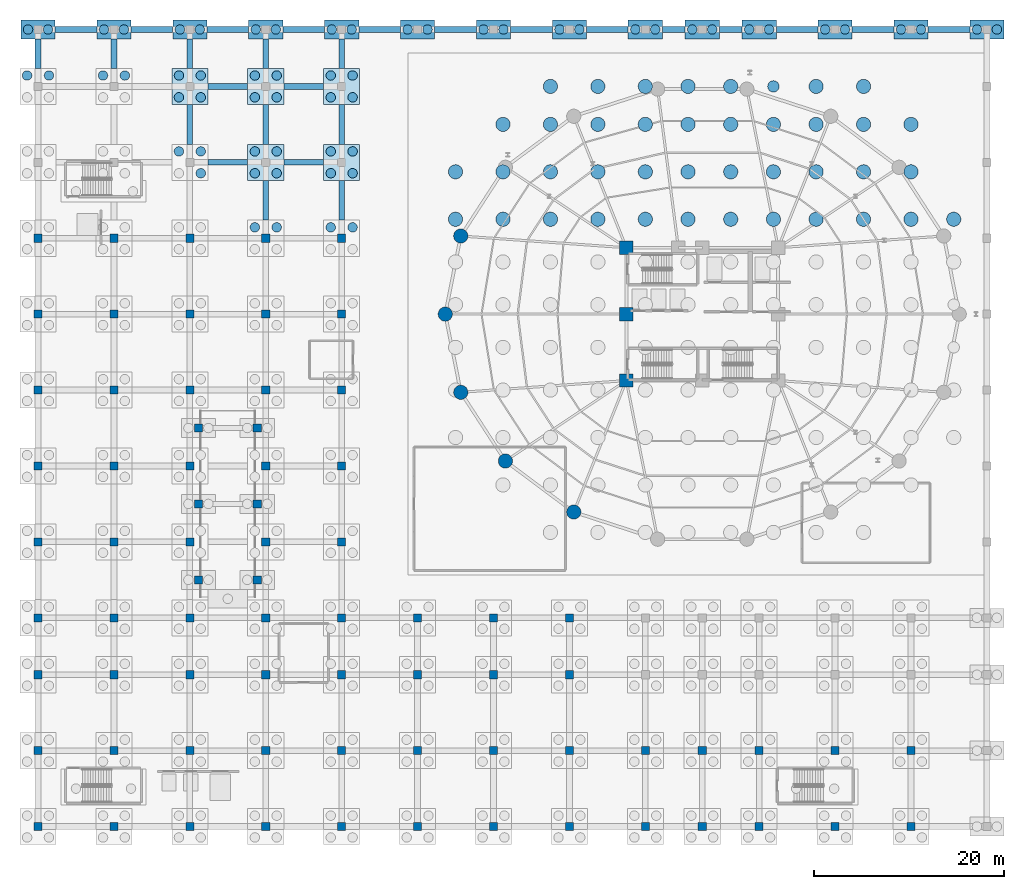
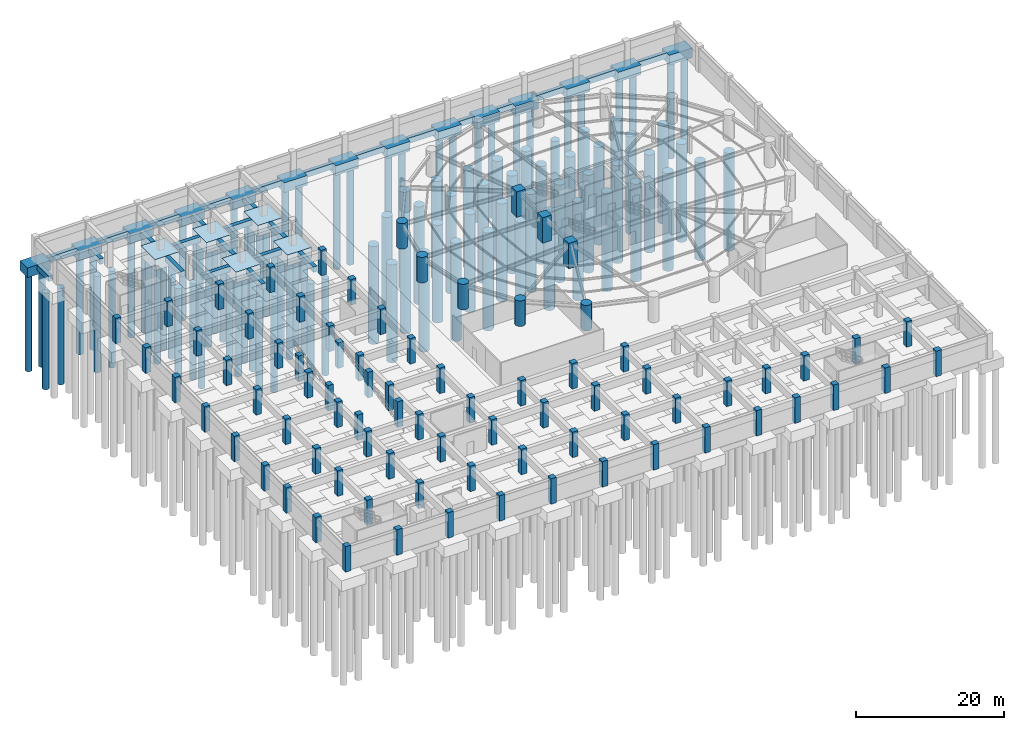
# One storey, part 4 of 23: 100 piles, 81 columns, 46 footings.
"""IFC4 building model written with IfcOpenShell, lengths in metres."""

import ifcopenshell
import ifcopenshell.guid

model = None  # the IFC model being written
_history = None  # IfcOwnerHistory: only IFC2X3 demands one
_inside = {}  # id of a spatial element -> (the spatial element, [elements in it])
_under = {}  # id of a project, library or spatial element -> (it, [spatial elements below it])
_declared = {}  # id of a project -> (the project, [libraries it declares])
_typed = {}  # id of a type object -> (the type object, [elements of that type])
_made_of = {}  # id of a material, layer set ... -> (it, [elements and type objects made of it])


def new_model(schema):
    """Start an empty IFC model of exactly this schema.

    Asked for "IFC4X3", IfcOpenShell would pick the latest addendum, in which some entities
    have other attributes; the version numbers below select the first issue.
    IFC2X3 requires an IfcOwnerHistory on every rooted entity: one is made here for all.
    """
    global model, _history
    if schema == "IFC4X3":
        model = ifcopenshell.file(schema_version=(4, 3, 0, 0))
    else:
        model = ifcopenshell.file(schema=schema)
    _inside.clear()
    _under.clear()
    _declared.clear()
    _typed.clear()
    _made_of.clear()
    _history = None
    if model.schema == "IFC2X3":
        org = make("IfcOrganization", Name="unknown")
        user = make(
            "IfcPersonAndOrganization",
            ThePerson=make("IfcPerson", FamilyName="unknown"),
            TheOrganization=org,
        )
        app = make(
            "IfcApplication",
            ApplicationDeveloper=org,
            Version="unknown",
            ApplicationFullName="unknown",
            ApplicationIdentifier="unknown",
        )
        _history = make(
            "IfcOwnerHistory",
            OwningUser=user,
            OwningApplication=app,
            ChangeAction="ADDED",
            CreationDate=0,
        )
    return model


def make(cls, **values):
    """One entity of the class cls with the attributes given. An attribute that is None is left unset."""
    return model.create_entity(
        cls, **{name: value for name, value in values.items() if value is not None}
    )


def rooted(cls, **values):
    """An entity with a GlobalId (a new one), such as an element, a storey or a relation."""
    return make(cls, GlobalId=ifcopenshell.guid.new(), OwnerHistory=_history, **values)


def si_unit(unit_type, name, prefix=None):
    """IfcSIUnit, for example si_unit("LENGTHUNIT", "METRE", prefix="MILLI")."""
    return make("IfcSIUnit", UnitType=unit_type, Prefix=prefix, Name=name)


def assignment(units):
    """IfcUnitAssignment: the units of a project."""
    return None if units is None else make("IfcUnitAssignment", Units=units)


def point(xyz):
    """IfcCartesianPoint."""
    return None if xyz is None else make("IfcCartesianPoint", Coordinates=xyz)


def direction(xyz):
    """IfcDirection."""
    return None if xyz is None else make("IfcDirection", DirectionRatios=xyz)


def frame(location, z_axis=None, x_axis=None):
    """IfcAxis2Placement3D, a coordinate frame: its origin and axes. An axis left out is left unset."""
    return make(
        "IfcAxis2Placement3D",
        Location=point(location),
        Axis=direction(z_axis),
        RefDirection=direction(x_axis),
    )


def frame_2d(location, x_axis=None):
    """IfcAxis2Placement2D, a coordinate frame in the plane: its origin and x axis."""
    return make(
        "IfcAxis2Placement2D", Location=point(location), RefDirection=direction(x_axis)
    )


def origin():
    """The frame at (0, 0, 0) with its axes left unset."""
    return frame((0.0, 0.0, 0.0))


def origin_2d():
    """The frame at (0, 0) in the plane with its x axis left unset."""
    return frame_2d((0.0, 0.0))


def place(relative_to, where):
    """IfcLocalPlacement: puts the frame where relative to a parent placement (None: the world)."""
    return make(
        "IfcLocalPlacement", PlacementRelTo=relative_to, RelativePlacement=where
    )


def context(
    kind, dimensions, precision=None, world=None, true_north=None, identifier=None
):
    """IfcGeometricRepresentationContext, for example the 3D "Model" context."""
    return make(
        "IfcGeometricRepresentationContext",
        ContextIdentifier=identifier,
        ContextType=kind,
        CoordinateSpaceDimension=dimensions,
        Precision=precision,
        WorldCoordinateSystem=world,
        TrueNorth=true_north,
    )


def subcontext(parent, identifier, kind, view, scale=None):
    """IfcGeometricRepresentationSubContext, for example "Body" below "Model"."""
    return make(
        "IfcGeometricRepresentationSubContext",
        ContextIdentifier=identifier,
        ContextType=kind,
        ParentContext=parent,
        TargetScale=scale,
        TargetView=view,
    )


def project(units=None, contexts=None):
    """IfcProject with its units and contexts."""
    return rooted(
        "IfcProject",
        Name="project",
        RepresentationContexts=contexts,
        UnitsInContext=assignment(units),
    )


def spatial(cls, under=None, at=None, **own):
    """A site, building, storey or space (cls), placed at a placement, below another one or the project."""
    s = rooted(cls, ObjectPlacement=at, **own)
    if under is not None:
        _under.setdefault(under.id(), (under, []))[1].append(s)
    return s


def profile(cls, at=None, kind="AREA", **sizes):
    """A parametric profile (cls). Its sizes go by their IFC names, for example OverallWidth=200.0."""
    return make(cls, ProfileType=kind, Position=at, **sizes)


def rectangle(**sizes):
    """IfcRectangleProfileDef."""
    return profile("IfcRectangleProfileDef", **sizes)


def circle(**sizes):
    """IfcCircleProfileDef."""
    return profile("IfcCircleProfileDef", **sizes)


def extrude(swept, where, along, depth):
    """IfcExtrudedAreaSolid: the profile swept, set in the frame where, extruded along a direction by depth."""
    return make(
        "IfcExtrudedAreaSolid",
        SweptArea=swept,
        Position=where,
        ExtrudedDirection=direction(along),
        Depth=depth,
    )


def shape(context_of_items, identifier, shape_type, items):
    """IfcShapeRepresentation: the items that make up one representation, for example the "Body"."""
    return make(
        "IfcShapeRepresentation",
        ContextOfItems=context_of_items,
        RepresentationIdentifier=identifier,
        RepresentationType=shape_type,
        Items=items,
    )


def source(mapping_origin, context_of_items, identifier, shape_type, items):
    """IfcRepresentationMap: a shape defined once, which mapped items show again and again."""
    return make(
        "IfcRepresentationMap",
        MappingOrigin=mapping_origin,
        MappedRepresentation=shape(context_of_items, identifier, shape_type, items),
    )


def transform(
    local_origin,
    x_axis=None,
    y_axis=None,
    z_axis=None,
    scale=None,
    scale2=None,
    scale3=None,
    uniform=True,
):
    """IfcCartesianTransformationOperator3D, or its non-uniform kind. x_axis, y_axis, z_axis: its Axis1, 2, 3."""
    if uniform:
        return make(
            "IfcCartesianTransformationOperator3D",
            Axis1=direction(x_axis),
            Axis2=direction(y_axis),
            LocalOrigin=point(local_origin),
            Scale=scale,
            Axis3=direction(z_axis),
        )
    return make(
        "IfcCartesianTransformationOperator3DnonUniform",
        Axis1=direction(x_axis),
        Axis2=direction(y_axis),
        LocalOrigin=point(local_origin),
        Scale=scale,
        Axis3=direction(z_axis),
        Scale2=scale2,
        Scale3=scale3,
    )


def mapped(mapping_source, mapping_target):
    """IfcMappedItem: shows the shape of a source again, moved by a transform."""
    return make(
        "IfcMappedItem", MappingSource=mapping_source, MappingTarget=mapping_target
    )


def material(Name=None, Category=None):
    """IfcMaterial."""
    return make("IfcMaterial", Name=Name, Category=Category)


def material_profile(
    of_material, cross_section, Name=None, Category=None, Priority=None
):
    """IfcMaterialProfile: a cross section and its material."""
    return make(
        "IfcMaterialProfile",
        Name=Name,
        Material=of_material,
        Profile=cross_section,
        Priority=Priority,
        Category=Category,
    )


def profile_set(profiles, Name=None, composite=None):
    """IfcMaterialProfileSet."""
    return make(
        "IfcMaterialProfileSet",
        Name=Name,
        MaterialProfiles=profiles,
        CompositeProfile=composite,
    )


def made_of(thing, what):
    """Note that an element or type object is made of a material, layer set ...; save() writes the relation."""
    if what is not None:
        _made_of.setdefault(what.id(), (what, []))[1].append(thing)
    return thing


def type_object(cls, material=None, **own):
    """A type object (cls), such as IfcWallType, which elements share."""
    return made_of(rooted(cls, **own), material)


def element(
    cls,
    number,
    at=None,
    inside=None,
    cuts=None,
    type_object=None,
    material=None,
    context=None,
    identifier="Body",
    shape_type=None,
    held_by="IfcProductDefinitionShape",
    body=None,
    shapes=None,
    **own,
):
    """One element of the class cls, such as IfcWall. Its Tag is "e" and its number.

    at: its placement. inside: the storey or other place that contains it. cuts: it is an
    opening in that element (IfcRelVoidsElement). A single representation is given by context,
    identifier, shape_type and body (its items); several are given by shapes. held_by: the class
    of the entity that holds the representations. save() writes the other relations.
    """
    e = rooted(cls, Tag="e%d" % number, ObjectPlacement=at, **own)
    if body is not None:
        shapes = [shape(context, identifier, shape_type, body)]
    if shapes is not None:
        e.Representation = make(held_by, Representations=shapes)
    if inside is not None:
        _inside.setdefault(inside.id(), (inside, []))[1].append(e)
    if cuts is not None:
        rooted(
            "IfcRelVoidsElement", RelatingBuildingElement=cuts, RelatedOpeningElement=e
        )
    if type_object is not None:
        _typed.setdefault(type_object.id(), (type_object, []))[1].append(e)
    return made_of(e, material)


def aggregate(whole, parts):
    """IfcRelAggregates: a whole, such as a stair, and the parts it consists of."""
    return rooted("IfcRelAggregates", RelatingObject=whole, RelatedObjects=parts)


def save(model, path):
    """Write the relations noted so far, then the file.

    IfcRelAggregates (storeys below a building ...), IfcRelContainedInSpatialStructure (elements
    in a storey), IfcRelDefinesByType, IfcRelAssociatesMaterial and IfcRelDeclares: one each for
    every whole, place, type object, material and project.
    """
    for whole, parts in _under.values():
        aggregate(whole, parts)
    for where, things in _inside.values():
        rooted(
            "IfcRelContainedInSpatialStructure",
            RelatedElements=things,
            RelatingStructure=where,
        )
    for kind, things in _typed.values():
        rooted("IfcRelDefinesByType", RelatedObjects=things, RelatingType=kind)
    for what, things in _made_of.values():
        rooted("IfcRelAssociatesMaterial", RelatedObjects=things, RelatingMaterial=what)
    for by, libraries in _declared.values():
        rooted("IfcRelDeclares", RelatingContext=by, RelatedDefinitions=libraries)
    model.write(path)


model = new_model("IFC4")

# Units and contexts
model_context = context("Model", 3, precision=1e-05, world=origin(), true_north=direction((0.0, 1.0)))
body_context = subcontext(model_context, "Body", "Model", "MODEL_VIEW")
ifc_project = project(units=[si_unit("LENGTHUNIT", "METRE"), si_unit("AREAUNIT", "SQUARE_METRE"), si_unit("VOLUMEUNIT", "CUBIC_METRE"), si_unit("PLANEANGLEUNIT", "RADIAN"), si_unit("MASSUNIT", "GRAM", prefix="KILO")], contexts=[model_context])

# Site, building, storey
site_placement = place(None, origin())
site = spatial("IfcSite", under=ifc_project, at=site_placement, CompositionType="ELEMENT")
building_placement = place(site_placement, origin())
building = spatial("IfcBuilding", under=site, at=building_placement, Name="Kelanora Arch Commons", CompositionType="ELEMENT")
storey_placement = place(building_placement, frame((0.0, 0.0, -8.39990234375)))
storey = spatial("IfcBuildingStorey", under=building, at=storey_placement, Name="B02", CompositionType="ELEMENT", Elevation=-8.39990234375)

# Piles
ifc_material_1 = material(Name="Concrete C45/55", Category="concrete")
ifc_material_profile_1 = material_profile(ifc_material_1, circle(Radius=0.75, at=origin_2d()), Name="PILE1500")
ifc_profile_set_1 = profile_set([ifc_material_profile_1], Name="Concrete C45/55")
pile_type_1 = type_object("IfcPileType", Name="PILE-TWR-1500", PredefinedType="BORED", material=ifc_profile_set_1)
shared_shape_1 = source(origin(), body_context, "Body", "SweptSolid", [
    extrude(circle(Radius=0.75, at=origin_2d()), origin(), (0.0, 0.0, 1.0), 16.10009765625),
])
for number, where, z_axis, x_axis, name in (
    (1, (48.0, 68.0, -3.5), (0.0, 0.0, -1.0), (1.0, 0.0, 0.0), "Tower Bored Pile 006"),
    (2, (48.0, 73.0, -3.5), (0.0, 0.0, -1.0), (1.0, 0.0, 0.0), "Tower Bored Pile 007"),
    (3, (53.0, 68.0, -3.5), (0.0, 0.0, -1.0), (1.0, 0.0, 0.0), "Tower Bored Pile 014"),
    (4, (53.0, 73.0, -3.5), (0.0, 0.0, -1.0), (1.0, 0.0, 0.0), "Tower Bored Pile 015"),
    (5, (53.0, 78.0, -3.5), (0.0, 0.0, -1.0), (1.0, 0.0, 0.0), "Tower Bored Pile 016"),
    (6, (58.0, 68.0, -3.5), (0.0, 0.0, -1.0), (1.0, 0.0, 0.0), "Tower Bored Pile 024"),
    (7, (58.0, 73.0, -3.5), (0.0, 0.0, -1.0), (1.0, 0.0, 0.0), "Tower Bored Pile 025"),
    (8, (58.0, 78.0, -3.5), (0.0, 0.0, -1.0), (1.0, 0.0, 0.0), "Tower Bored Pile 026"),
    (9, (58.0, 82.0, -3.5), (0.0, 0.0, -1.0), (1.0, 0.0, 0.0), "Tower Bored Pile 027"),
    (10, (63.0, 68.0, -3.5), (0.0, 0.0, -1.0), (1.0, 0.0, 0.0), "Tower Bored Pile 035"),
    (11, (63.0, 73.0, -3.5), (0.0, 0.0, -1.0), (1.0, 0.0, 0.0), "Tower Bored Pile 036"),
    (12, (63.0, 78.0, -3.5), (0.0, 0.0, -1.0), (1.0, 0.0, 0.0), "Tower Bored Pile 037"),
    (13, (63.0, 82.0, -3.5), (0.0, 0.0, -1.0), (1.0, 0.0, 0.0), "Tower Bored Pile 038"),
    (14, (68.0, 68.0, -3.5), (0.0, 0.0, -1.0), (1.0, 0.0, 0.0), "Tower Bored Pile 046"),
    (15, (68.0, 73.0, -3.5), (0.0, 0.0, -1.0), (1.0, 0.0, 0.0), "Tower Bored Pile 047"),
    (16, (68.0, 78.0, -3.5), (0.0, 0.0, -1.0), (1.0, 0.0, 0.0), "Tower Bored Pile 048"),
    (17, (68.0, 82.0, -3.5), (0.0, 0.0, -1.0), (1.0, 0.0, 0.0), "Tower Bored Pile 049"),
    (18, (72.5, 68.0, -3.5), (0.0, 0.0, -1.0), (1.0, 0.0, 0.0), "Tower Bored Pile 057"),
    (19, (72.5, 73.0, -3.5), (0.0, 0.0, -1.0), (1.0, 0.0, 0.0), "Tower Bored Pile 058"),
    (20, (72.5, 78.0, -3.5), (0.0, 0.0, -1.0), (1.0, 0.0, 0.0), "Tower Bored Pile 059"),
    (21, (72.5, 82.0, -3.5), (0.0, 0.0, -1.0), (1.0, 0.0, 0.0), "Tower Bored Pile 060"),
    (22, (77.0, 68.0, -3.5), (0.0, 0.0, -1.0), (1.0, 0.0, 0.0), "Tower Bored Pile 068"),
    (23, (77.0, 73.0, -3.5), (0.0, 0.0, -1.0), (1.0, 0.0, 0.0), "Tower Bored Pile 069"),
    (24, (77.0, 78.0, -3.5), (0.0, 0.0, -1.0), (1.0, 0.0, 0.0), "Tower Bored Pile 070"),
    (25, (77.0, 82.0, -3.5), (0.0, 0.0, -1.0), (1.0, 0.0, 0.0), "Tower Bored Pile 071"),
    (26, (81.5, 68.0, -3.5), (0.0, 0.0, -1.0), (1.0, 0.0, 0.0), "Tower Bored Pile 079"),
    (27, (81.5, 73.0, -3.5), (0.0, 0.0, -1.0), (1.0, 0.0, 0.0), "Tower Bored Pile 080"),
    (28, (81.5, 78.0, -3.5), (0.0, 0.0, -1.0), (1.0, 0.0, 0.0), "Tower Bored Pile 081"),
    (29, (86.0, 68.0, -3.5), (0.0, 0.0, -1.0), (1.0, 0.0, 0.0), "Tower Bored Pile 090"),
    (30, (86.0, 73.0, -3.5), (0.0, 0.0, -1.0), (1.0, 0.0, 0.0), "Tower Bored Pile 091"),
    (31, (86.0, 78.0, -3.5), (0.0, 0.0, -1.0), (1.0, 0.0, 0.0), "Tower Bored Pile 092"),
    (32, (86.0, 82.0, -3.5), (0.0, 0.0, -1.0), (1.0, 0.0, 0.0), "Tower Bored Pile 093"),
    (33, (91.0, 68.0, -3.5), (0.0, 0.0, -1.0), (1.0, 0.0, 0.0), "Tower Bored Pile 101"),
    (34, (91.0, 73.0, -3.5), (0.0, 0.0, -1.0), (1.0, 0.0, 0.0), "Tower Bored Pile 102"),
    (35, (91.0, 78.0, -3.5), (0.0, 0.0, -1.0), (1.0, 0.0, 0.0), "Tower Bored Pile 103"),
    (36, (91.0, 82.0, -3.5), (0.0, 0.0, -1.0), (1.0, 0.0, 0.0), "Tower Bored Pile 104"),
    (37, (96.0, 68.0, -3.5), (0.0, 0.0, -1.0), (1.0, 0.0, 0.0), "Tower Bored Pile 111"),
    (38, (96.0, 73.0, -3.5), (0.0, 0.0, -1.0), (1.0, 0.0, 0.0), "Tower Bored Pile 112"),
    (39, (96.0, 78.0, -3.5), (0.0, 0.0, -1.0), (1.0, 0.0, 0.0), "Tower Bored Pile 113"),
    (40, (100.5, 68.0, -3.5), (0.0, 0.0, -1.0), (1.0, 0.0, 0.0), "Tower Bored Pile 119"),
):
    element("IfcPile", number, at=place(storey_placement, frame(where, z_axis=z_axis, x_axis=x_axis)), inside=storey, type_object=pile_type_1, Name=name, PredefinedType="BORED", context=body_context, shape_type="MappedRepresentation", body=[
        mapped(shared_shape_1, transform((0.0, 0.0, 0.0), scale=1.0)),
    ])
ifc_material_profile_2 = material_profile(ifc_material_1, circle(Radius=0.60009765625, at=origin_2d()), Name="PILE1200")
ifc_profile_set_2 = profile_set([ifc_material_profile_2], Name="Concrete C45/55")
pile_type_2 = type_object("IfcPileType", Name="PILE-ABT-1200", PredefinedType="BORED", material=ifc_profile_set_2)
shared_shape_2 = source(origin(), body_context, "Body", "SweptSolid", [
    extrude(circle(Radius=0.60009765625, at=origin_2d()), origin(), (0.0, 0.0, 1.0), 16.10009765625),
])
pile_placement = place(storey_placement, frame((81.5, 82.0, -3.5), z_axis=(0.0, 0.0, -1.0), x_axis=(1.0, 0.0, 0.0)))
element("IfcPile", 41, at=pile_placement, inside=storey, type_object=pile_type_2, Name="Tower Bored Pile 082", PredefinedType="BORED", context=body_context, shape_type="MappedRepresentation", body=[
    mapped(shared_shape_2, transform((0.0, 0.0, 0.0), scale=1.0)),
])

# Footings
ifc_material_2 = material(Name="Concrete C40/50", Category="concrete")
footing_type_1 = type_object("IfcFootingType", Name="FTG-MKT-CAP4", PredefinedType="PILE_CAP", material=ifc_material_2)
shared_shape_3 = source(origin(), body_context, "Body", "SweptSolid", [
    extrude(rectangle(XDim=3.800048828125, YDim=3.800048828125, at=origin_2d()), origin(), (0.0, 0.0, 1.0), 1.800048828125),
])
for number, where, z_axis, x_axis, name in (
    (42, (20.0, 82.0, -1.80029296875), (0.0, 0.0, 1.0), (1.0, 0.0, 0.0), "Pile Cap 3-L"),
    (43, (28.0, 74.0, -1.80029296875), (0.0, 0.0, 1.0), (1.0, 0.0, 0.0), "Pile Cap 4-K"),
    (44, (28.0, 82.0, -1.80029296875), (0.0, 0.0, 1.0), (1.0, 0.0, 0.0), "Pile Cap 4-L"),
    (45, (36.0, 74.0, -1.80029296875), (0.0, 0.0, 1.0), (1.0, 0.0, 0.0), "Pile Cap 5-K"),
    (46, (36.0, 82.0, -1.80029296875), (0.0, 0.0, 1.0), (1.0, 0.0, 0.0), "Pile Cap 5-L"),
):
    element("IfcFooting", number, at=place(storey_placement, frame(where, z_axis=z_axis, x_axis=x_axis)), inside=storey, type_object=footing_type_1, Name=name, PredefinedType="PILE_CAP", context=body_context, shape_type="MappedRepresentation", body=[
        mapped(shared_shape_3, transform((0.0, 0.0, 0.0), scale=1.0)),
    ])

# Piles
ifc_material_profile_3 = material_profile(ifc_material_1, circle(Radius=0.5, at=origin_2d()), Name="PILE1000")
ifc_profile_set_3 = profile_set([ifc_material_profile_3], Name="Concrete C45/55")
pile_type_3 = type_object("IfcPileType", Name="PILE-MKT-1000", PredefinedType="BORED", material=ifc_profile_set_3)
shared_shape_4 = source(origin(), body_context, "Body", "SweptSolid", [
    extrude(circle(Radius=0.5, at=origin_2d()), origin(), (0.0, 0.0, 1.0), 15.89990234375),
])
for number, where, z_axis, x_axis, name in (
    (47, (5.14990234375, 83.14990234375, -1.7001953125), (0.0, 0.0, -1.0), (1.0, 0.0, 0.0), "Market Bored Pile 1-L-3"),
    (48, (2.85009765625, 83.14990234375, -1.7001953125), (0.0, 0.0, -1.0), (1.0, 0.0, 0.0), "Market Bored Pile 1-L-4"),
    (49, (13.14990234375, 83.14990234375, -1.7001953125), (0.0, 0.0, -1.0), (1.0, 0.0, 0.0), "Market Bored Pile 2-L-3"),
    (50, (10.85009765625, 83.14990234375, -1.7001953125), (0.0, 0.0, -1.0), (1.0, 0.0, 0.0), "Market Bored Pile 2-L-4"),
    (51, (21.14990234375, 72.85009765625, -1.7001953125), (0.0, 0.0, -1.0), (1.0, 0.0, 0.0), "Market Bored Pile 3-K-2"),
    (52, (21.14990234375, 75.14990234375, -1.7001953125), (0.0, 0.0, -1.0), (1.0, 0.0, 0.0), "Market Bored Pile 3-K-3"),
    (53, (18.85009765625, 75.14990234375, -1.7001953125), (0.0, 0.0, -1.0), (1.0, 0.0, 0.0), "Market Bored Pile 3-K-4"),
    (54, (18.85009765625, 80.85009765625, -1.7001953125), (0.0, 0.0, -1.0), (1.0, 0.0, 0.0), "Market Bored Pile 3-L-1"),
    (55, (21.14990234375, 80.85009765625, -1.7001953125), (0.0, 0.0, -1.0), (1.0, 0.0, 0.0), "Market Bored Pile 3-L-2"),
    (56, (21.14990234375, 83.14990234375, -1.7001953125), (0.0, 0.0, -1.0), (1.0, 0.0, 0.0), "Market Bored Pile 3-L-3"),
    (57, (18.85009765625, 83.14990234375, -1.7001953125), (0.0, 0.0, -1.0), (1.0, 0.0, 0.0), "Market Bored Pile 3-L-4"),
    (58, (29.14990234375, 67.14990234375, -1.7001953125), (0.0, 0.0, -1.0), (1.0, 0.0, 0.0), "Market Bored Pile 4-J-3"),
    (59, (26.85009765625, 67.14990234375, -1.7001953125), (0.0, 0.0, -1.0), (1.0, 0.0, 0.0), "Market Bored Pile 4-J-4"),
    (60, (26.85009765625, 72.85009765625, -1.7001953125), (0.0, 0.0, -1.0), (1.0, 0.0, 0.0), "Market Bored Pile 4-K-1"),
    (61, (29.14990234375, 72.85009765625, -1.7001953125), (0.0, 0.0, -1.0), (1.0, 0.0, 0.0), "Market Bored Pile 4-K-2"),
    (62, (29.14990234375, 75.14990234375, -1.7001953125), (0.0, 0.0, -1.0), (1.0, 0.0, 0.0), "Market Bored Pile 4-K-3"),
    (63, (26.85009765625, 75.14990234375, -1.7001953125), (0.0, 0.0, -1.0), (1.0, 0.0, 0.0), "Market Bored Pile 4-K-4"),
    (64, (26.85009765625, 80.85009765625, -1.7001953125), (0.0, 0.0, -1.0), (1.0, 0.0, 0.0), "Market Bored Pile 4-L-1"),
    (65, (29.14990234375, 80.85009765625, -1.7001953125), (0.0, 0.0, -1.0), (1.0, 0.0, 0.0), "Market Bored Pile 4-L-2"),
    (66, (29.14990234375, 83.14990234375, -1.7001953125), (0.0, 0.0, -1.0), (1.0, 0.0, 0.0), "Market Bored Pile 4-L-3"),
    (67, (26.85009765625, 83.14990234375, -1.7001953125), (0.0, 0.0, -1.0), (1.0, 0.0, 0.0), "Market Bored Pile 4-L-4"),
    (68, (37.14990234375, 67.14990234375, -1.7001953125), (0.0, 0.0, -1.0), (1.0, 0.0, 0.0), "Market Bored Pile 5-J-3"),
    (69, (34.85009765625, 67.14990234375, -1.7001953125), (0.0, 0.0, -1.0), (1.0, 0.0, 0.0), "Market Bored Pile 5-J-4"),
    (70, (34.85009765625, 72.85009765625, -1.7001953125), (0.0, 0.0, -1.0), (1.0, 0.0, 0.0), "Market Bored Pile 5-K-1"),
    (71, (37.14990234375, 72.85009765625, -1.7001953125), (0.0, 0.0, -1.0), (1.0, 0.0, 0.0), "Market Bored Pile 5-K-2"),
    (72, (37.14990234375, 75.14990234375, -1.7001953125), (0.0, 0.0, -1.0), (1.0, 0.0, 0.0), "Market Bored Pile 5-K-3"),
    (73, (34.85009765625, 75.14990234375, -1.7001953125), (0.0, 0.0, -1.0), (1.0, 0.0, 0.0), "Market Bored Pile 5-K-4"),
    (74, (34.85009765625, 80.85009765625, -1.7001953125), (0.0, 0.0, -1.0), (1.0, 0.0, 0.0), "Market Bored Pile 5-L-1"),
    (75, (37.14990234375, 80.85009765625, -1.7001953125), (0.0, 0.0, -1.0), (1.0, 0.0, 0.0), "Market Bored Pile 5-L-2"),
    (76, (37.14990234375, 83.14990234375, -1.7001953125), (0.0, 0.0, -1.0), (1.0, 0.0, 0.0), "Market Bored Pile 5-L-3"),
    (77, (34.85009765625, 83.14990234375, -1.7001953125), (0.0, 0.0, -1.0), (1.0, 0.0, 0.0), "Market Bored Pile 5-L-4"),
):
    element("IfcPile", number, at=place(storey_placement, frame(where, z_axis=z_axis, x_axis=x_axis)), inside=storey, type_object=pile_type_3, Name=name, PredefinedType="BORED", context=body_context, shape_type="MappedRepresentation", body=[
        mapped(shared_shape_4, transform((0.0, 0.0, 0.0), scale=1.0)),
    ])

# Footings
footing_type_2 = type_object("IfcFootingType", Name="FTG-MKT-CAP2", PredefinedType="PILE_CAP", material=ifc_material_2)
shared_shape_5 = source(origin(), body_context, "Body", "SweptSolid", [
    extrude(rectangle(XDim=3.60009765625, YDim=2.0, at=origin_2d()), origin(), (0.0, 0.0, 1.0), 1.60009765625),
])
for number, where, z_axis, x_axis, name in (
    (78, (4.0, 88.0, -1.60009765625), (0.0, 0.0, 1.0), (1.0, 0.0, 0.0), "Pile Cap 1-M"),
    (79, (12.0, 88.0, -1.60009765625), (0.0, 0.0, 1.0), (1.0, 0.0, 0.0), "Pile Cap 2-M"),
    (80, (20.0, 88.0, -1.60009765625), (0.0, 0.0, 1.0), (1.0, 0.0, 0.0), "Pile Cap 3-M"),
    (81, (28.0, 88.0, -1.60009765625), (0.0, 0.0, 1.0), (1.0, 0.0, 0.0), "Pile Cap 4-M"),
    (82, (36.0, 88.0, -1.60009765625), (0.0, 0.0, 1.0), (1.0, 0.0, 0.0), "Pile Cap 5-M"),
    (83, (44.0, 88.0, -1.60009765625), (0.0, 0.0, 1.0), (1.0, 0.0, 0.0), "Pile Cap 6-M"),
    (84, (52.0, 88.0, -1.60009765625), (0.0, 0.0, 1.0), (1.0, 0.0, 0.0), "Pile Cap 7-M"),
    (85, (60.0, 88.0, -1.60009765625), (0.0, 0.0, 1.0), (1.0, 0.0, 0.0), "Pile Cap 8-M"),
    (86, (68.0, 88.0, -1.60009765625), (0.0, 0.0, 1.0), (1.0, 0.0, 0.0), "Pile Cap 9-M"),
    (87, (74.0, 88.0, -1.60009765625), (0.0, 0.0, 1.0), (1.0, 0.0, 0.0), "Pile Cap 10-M"),
    (88, (80.0, 88.0, -1.60009765625), (0.0, 0.0, 1.0), (1.0, 0.0, 0.0), "Pile Cap 11-M"),
    (89, (88.0, 88.0, -1.60009765625), (0.0, 0.0, 1.0), (1.0, 0.0, 0.0), "Pile Cap 12-M"),
    (90, (96.0, 88.0, -1.60009765625), (0.0, 0.0, 1.0), (1.0, 0.0, 0.0), "Pile Cap 13-M"),
    (91, (104.0, 88.0, -1.60009765625), (0.0, 0.0, 1.0), (1.0, 0.0, 0.0), "Pile Cap 14-M"),
):
    element("IfcFooting", number, at=place(storey_placement, frame(where, z_axis=z_axis, x_axis=x_axis)), inside=storey, type_object=footing_type_2, Name=name, PredefinedType="PILE_CAP", context=body_context, shape_type="MappedRepresentation", body=[
        mapped(shared_shape_5, transform((0.0, 0.0, 0.0), scale=1.0)),
    ])

# Piles
shared_shape_6 = source(origin(), body_context, "Body", "SweptSolid", [
    extrude(circle(Radius=0.5, at=origin_2d()), origin(), (0.0, 0.0, 1.0), 16.10009765625),
])
for number, where, z_axis, x_axis, name in (
    (92, (2.949951171875, 88.0, -1.5), (0.0, 0.0, -1.0), (1.0, 0.0, 0.0), "Market Bored Pile 1-M-1"),
    (93, (5.050048828125, 88.0, -1.5), (0.0, 0.0, -1.0), (1.0, 0.0, 0.0), "Market Bored Pile 1-M-2"),
    (94, (10.949951171875, 88.0, -1.5), (0.0, 0.0, -1.0), (1.0, 0.0, 0.0), "Market Bored Pile 2-M-1"),
    (95, (13.050048828125, 88.0, -1.5), (0.0, 0.0, -1.0), (1.0, 0.0, 0.0), "Market Bored Pile 2-M-2"),
    (96, (18.949951171875, 88.0, -1.5), (0.0, 0.0, -1.0), (1.0, 0.0, 0.0), "Market Bored Pile 3-M-1"),
    (97, (21.050048828125, 88.0, -1.5), (0.0, 0.0, -1.0), (1.0, 0.0, 0.0), "Market Bored Pile 3-M-2"),
    (98, (26.949951171875, 88.0, -1.5), (0.0, 0.0, -1.0), (1.0, 0.0, 0.0), "Market Bored Pile 4-M-1"),
    (99, (29.050048828125, 88.0, -1.5), (0.0, 0.0, -1.0), (1.0, 0.0, 0.0), "Market Bored Pile 4-M-2"),
    (100, (34.949951171875, 88.0, -1.5), (0.0, 0.0, -1.0), (1.0, 0.0, 0.0), "Market Bored Pile 5-M-1"),
    (101, (37.050048828125, 88.0, -1.5), (0.0, 0.0, -1.0), (1.0, 0.0, 0.0), "Market Bored Pile 5-M-2"),
    (102, (42.949951171875, 88.0, -1.5), (0.0, 0.0, -1.0), (1.0, 0.0, 0.0), "Market Bored Pile 6-M-1"),
    (103, (45.050048828125, 88.0, -1.5), (0.0, 0.0, -1.0), (1.0, 0.0, 0.0), "Market Bored Pile 6-M-2"),
    (104, (50.949951171875, 88.0, -1.5), (0.0, 0.0, -1.0), (1.0, 0.0, 0.0), "Market Bored Pile 7-M-1"),
    (105, (53.050048828125, 88.0, -1.5), (0.0, 0.0, -1.0), (1.0, 0.0, 0.0), "Market Bored Pile 7-M-2"),
    (106, (58.949951171875, 88.0, -1.5), (0.0, 0.0, -1.0), (1.0, 0.0, 0.0), "Market Bored Pile 8-M-1"),
    (107, (61.050048828125, 88.0, -1.5), (0.0, 0.0, -1.0), (1.0, 0.0, 0.0), "Market Bored Pile 8-M-2"),
    (108, (66.949951171875, 88.0, -1.5), (0.0, 0.0, -1.0), (1.0, 0.0, 0.0), "Market Bored Pile 9-M-1"),
    (109, (69.050048828125, 88.0, -1.5), (0.0, 0.0, -1.0), (1.0, 0.0, 0.0), "Market Bored Pile 9-M-2"),
    (110, (72.949951171875, 88.0, -1.5), (0.0, 0.0, -1.0), (1.0, 0.0, 0.0), "Market Bored Pile 10-M-1"),
    (111, (75.050048828125, 88.0, -1.5), (0.0, 0.0, -1.0), (1.0, 0.0, 0.0), "Market Bored Pile 10-M-2"),
    (112, (78.949951171875, 88.0, -1.5), (0.0, 0.0, -1.0), (1.0, 0.0, 0.0), "Market Bored Pile 11-M-1"),
    (113, (81.050048828125, 88.0, -1.5), (0.0, 0.0, -1.0), (1.0, 0.0, 0.0), "Market Bored Pile 11-M-2"),
    (114, (86.949951171875, 88.0, -1.5), (0.0, 0.0, -1.0), (1.0, 0.0, 0.0), "Market Bored Pile 12-M-1"),
    (115, (89.050048828125, 88.0, -1.5), (0.0, 0.0, -1.0), (1.0, 0.0, 0.0), "Market Bored Pile 12-M-2"),
    (116, (94.949951171875, 88.0, -1.5), (0.0, 0.0, -1.0), (1.0, 0.0, 0.0), "Market Bored Pile 13-M-1"),
    (117, (97.050048828125, 88.0, -1.5), (0.0, 0.0, -1.0), (1.0, 0.0, 0.0), "Market Bored Pile 13-M-2"),
    (118, (102.949951171875, 88.0, -1.5), (0.0, 0.0, -1.0), (1.0, 0.0, 0.0), "Market Bored Pile 14-M-1"),
    (119, (105.050048828125, 88.0, -1.5), (0.0, 0.0, -1.0), (1.0, 0.0, 0.0), "Market Bored Pile 14-M-2"),
):
    element("IfcPile", number, at=place(storey_placement, frame(where, z_axis=z_axis, x_axis=x_axis)), inside=storey, type_object=pile_type_3, Name=name, PredefinedType="BORED", context=body_context, shape_type="MappedRepresentation", body=[
        mapped(shared_shape_6, transform((0.0, 0.0, 0.0), scale=1.0)),
    ])

# Footings
footing_type_3 = type_object("IfcFootingType", Name="FTG-TIE-BEAM", PredefinedType="FOOTING_BEAM", material=ifc_material_2)
shared_shape_7 = source(origin(), body_context, "Body", "SweptSolid", [
    extrude(rectangle(XDim=4.194091796875, YDim=0.60009765625, at=origin_2d()), origin(), (0.0, 0.0, 1.0), 0.89990234375),
])
for number, where, z_axis, x_axis, name in (
    (120, (24.0, 74.0, -0.900146484375), (0.0, 0.0, 1.0), (1.0, 0.0, 0.0), "Ground Tie Beam 067"),
    (121, (20.0, 78.0, -0.900146484375), (0.0, 0.0, 1.0), (0.0, 1.0, 0.0), "Ground Tie Beam 068"),
    (122, (24.0, 82.0, -0.900146484375), (0.0, 0.0, 1.0), (1.0, 0.0, 0.0), "Ground Tie Beam 069"),
    (123, (28.0, 70.0, -0.900146484375), (0.0, 0.0, 1.0), (0.0, 1.0, 0.0), "Ground Tie Beam 092"),
    (124, (32.0, 74.0, -0.900146484375), (0.0, 0.0, 1.0), (1.0, 0.0, 0.0), "Ground Tie Beam 093"),
    (125, (28.0, 78.0, -0.900146484375), (0.0, 0.0, 1.0), (0.0, 1.0, 0.0), "Ground Tie Beam 094"),
    (126, (32.0, 82.0, -0.900146484375), (0.0, 0.0, 1.0), (1.0, 0.0, 0.0), "Ground Tie Beam 095"),
    (127, (36.0, 70.0, -0.900146484375), (0.0, 0.0, 1.0), (0.0, 1.0, 0.0), "Ground Tie Beam 110"),
    (128, (36.0, 78.0, -0.900146484375), (0.0, 0.0, 1.0), (0.0, 1.0, 0.0), "Ground Tie Beam 111"),
):
    element("IfcFooting", number, at=place(storey_placement, frame(where, z_axis=z_axis, x_axis=x_axis)), inside=storey, type_object=footing_type_3, Name=name, PredefinedType="FOOTING_BEAM", context=body_context, shape_type="MappedRepresentation", body=[
        mapped(shared_shape_7, transform((0.0, 0.0, 0.0), scale=1.0)),
    ])
shared_shape_8 = source(origin(), body_context, "Body", "SweptSolid", [
    extrude(rectangle(XDim=3.093994140625, YDim=0.60009765625, at=origin_2d()), origin(), (0.0, 0.0, 1.0), 0.89990234375),
])
for number, where, z_axis, x_axis, name in (
    (129, (4.0, 85.449951171875, -0.900146484375), (0.0, 0.0, 1.0), (0.0, 1.0, 0.0), "Ground Tie Beam 022"),
    (130, (12.0, 85.449951171875, -0.900146484375), (0.0, 0.0, 1.0), (0.0, 1.0, 0.0), "Ground Tie Beam 044"),
    (131, (20.0, 85.449951171875, -0.900146484375), (0.0, 0.0, 1.0), (0.0, 1.0, 0.0), "Ground Tie Beam 070"),
    (132, (28.0, 85.449951171875, -0.900146484375), (0.0, 0.0, 1.0), (0.0, 1.0, 0.0), "Ground Tie Beam 096"),
    (133, (36.0, 85.449951171875, -0.900146484375), (0.0, 0.0, 1.0), (0.0, 1.0, 0.0), "Ground Tie Beam 112"),
):
    element("IfcFooting", number, at=place(storey_placement, frame(where, z_axis=z_axis, x_axis=x_axis)), inside=storey, type_object=footing_type_3, Name=name, PredefinedType="FOOTING_BEAM", context=body_context, shape_type="MappedRepresentation", body=[
        mapped(shared_shape_8, transform((0.0, 0.0, 0.0), scale=1.0)),
    ])
shared_shape_9 = source(origin(), body_context, "Body", "SweptSolid", [
    extrude(rectangle(XDim=4.39404296875, YDim=0.60009765625, at=origin_2d()), origin(), (0.0, 0.0, 1.0), 0.89990234375),
])
for number, where, z_axis, x_axis, name in (
    (134, (8.0, 88.0, -0.900146484375), (0.0, 0.0, 1.0), (1.0, 0.0, 0.0), "Ground Tie Beam 023"),
    (135, (16.0, 88.0, -0.900146484375), (0.0, 0.0, 1.0), (1.0, 0.0, 0.0), "Ground Tie Beam 045"),
    (136, (24.0, 88.0, -0.900146484375), (0.0, 0.0, 1.0), (1.0, 0.0, 0.0), "Ground Tie Beam 071"),
    (137, (32.0, 88.0, -0.900146484375), (0.0, 0.0, 1.0), (1.0, 0.0, 0.0), "Ground Tie Beam 097"),
    (138, (40.0, 88.0, -0.900146484375), (0.0, 0.0, 1.0), (1.0, 0.0, 0.0), "Ground Tie Beam 113"),
    (139, (48.0, 88.0, -0.900146484375), (0.0, 0.0, 1.0), (1.0, 0.0, 0.0), "Ground Tie Beam 121"),
    (140, (56.0, 88.0, -0.900146484375), (0.0, 0.0, 1.0), (1.0, 0.0, 0.0), "Ground Tie Beam 129"),
    (141, (64.0, 88.0, -0.900146484375), (0.0, 0.0, 1.0), (1.0, 0.0, 0.0), "Ground Tie Beam 137"),
    (142, (84.0, 88.0, -0.900146484375), (0.0, 0.0, 1.0), (1.0, 0.0, 0.0), "Ground Tie Beam 161"),
    (143, (92.0, 88.0, -0.900146484375), (0.0, 0.0, 1.0), (1.0, 0.0, 0.0), "Ground Tie Beam 168"),
    (144, (100.0, 88.0, -0.900146484375), (0.0, 0.0, 1.0), (1.0, 0.0, 0.0), "Ground Tie Beam 176"),
):
    element("IfcFooting", number, at=place(storey_placement, frame(where, z_axis=z_axis, x_axis=x_axis)), inside=storey, type_object=footing_type_3, Name=name, PredefinedType="FOOTING_BEAM", context=body_context, shape_type="MappedRepresentation", body=[
        mapped(shared_shape_9, transform((0.0, 0.0, 0.0), scale=1.0)),
    ])
shared_shape_10 = source(origin(), body_context, "Body", "SweptSolid", [
    extrude(rectangle(XDim=2.39404296875, YDim=0.60009765625, at=origin_2d()), origin(), (0.0, 0.0, 1.0), 0.89990234375),
])
for number, where, z_axis, x_axis, name in (
    (145, (71.0, 88.0, -0.900146484375), (0.0, 0.0, 1.0), (1.0, 0.0, 0.0), "Ground Tie Beam 145"),
    (146, (77.0, 88.0, -0.900146484375), (0.0, 0.0, 1.0), (1.0, 0.0, 0.0), "Ground Tie Beam 153"),
):
    element("IfcFooting", number, at=place(storey_placement, frame(where, z_axis=z_axis, x_axis=x_axis)), inside=storey, type_object=footing_type_3, Name=name, PredefinedType="FOOTING_BEAM", context=body_context, shape_type="MappedRepresentation", body=[
        mapped(shared_shape_10, transform((0.0, 0.0, 0.0), scale=1.0)),
    ])

# Columns
ifc_material_3 = material(Name="Concrete C50/60", Category="concrete")
ifc_material_profile_4 = material_profile(ifc_material_3, rectangle(XDim=0.85009765625, YDim=0.85009765625, at=origin_2d()), Name="RC850x850")
ifc_profile_set_4 = profile_set([ifc_material_profile_4], Name="Concrete C50/60")
column_type_1 = type_object("IfcColumnType", Name="COL-BSMT", PredefinedType="COLUMN", material=ifc_profile_set_4)
for number, where, z_axis, x_axis, name in (
    (147, (4.0, 4.0, 0.0), (0.0, 0.0, 1.0), (1.0, 0.0, 0.0), "Basement Column 1-A B02"),
    (148, (4.0, 12.0, 0.0), (0.0, 0.0, 1.0), (1.0, 0.0, 0.0), "Basement Column 1-B B02"),
    (149, (4.0, 20.0, 0.0), (0.0, 0.0, 1.0), (1.0, 0.0, 0.0), "Basement Column 1-C B02"),
    (150, (4.0, 26.0, 0.0), (0.0, 0.0, 1.0), (1.0, 0.0, 0.0), "Basement Column 1-D B02"),
    (151, (4.0, 34.0, 0.0), (0.0, 0.0, 1.0), (1.0, 0.0, 0.0), "Basement Column 1-E B02"),
    (152, (4.0, 42.0, 0.0), (0.0, 0.0, 1.0), (1.0, 0.0, 0.0), "Basement Column 1-F B02"),
    (153, (4.0, 50.0, 0.0), (0.0, 0.0, 1.0), (1.0, 0.0, 0.0), "Basement Column 1-G B02"),
    (154, (4.0, 58.0, 0.0), (0.0, 0.0, 1.0), (1.0, 0.0, 0.0), "Basement Column 1-H B02"),
    (155, (4.0, 66.0, 0.0), (0.0, 0.0, 1.0), (1.0, 0.0, 0.0), "Basement Column 1-J B02"),
    (156, (12.0, 4.0, 0.0), (0.0, 0.0, 1.0), (1.0, 0.0, 0.0), "Basement Column 2-A B02"),
    (157, (12.0, 12.0, 0.0), (0.0, 0.0, 1.0), (1.0, 0.0, 0.0), "Basement Column 2-B B02"),
    (158, (12.0, 20.0, 0.0), (0.0, 0.0, 1.0), (1.0, 0.0, 0.0), "Basement Column 2-C B02"),
    (159, (12.0, 26.0, 0.0), (0.0, 0.0, 1.0), (1.0, 0.0, 0.0), "Basement Column 2-D B02"),
    (160, (12.0, 34.0, 0.0), (0.0, 0.0, 1.0), (1.0, 0.0, 0.0), "Basement Column 2-E B02"),
    (161, (12.0, 42.0, 0.0), (0.0, 0.0, 1.0), (1.0, 0.0, 0.0), "Basement Column 2-F B02"),
    (162, (12.0, 50.0, 0.0), (0.0, 0.0, 1.0), (1.0, 0.0, 0.0), "Basement Column 2-G B02"),
    (163, (12.0, 58.0, 0.0), (0.0, 0.0, 1.0), (1.0, 0.0, 0.0), "Basement Column 2-H B02"),
    (164, (12.0, 66.0, 0.0), (0.0, 0.0, 1.0), (1.0, 0.0, 0.0), "Basement Column 2-J B02"),
    (165, (20.0, 4.0, 0.0), (0.0, 0.0, 1.0), (1.0, 0.0, 0.0), "Basement Column 3-A B02"),
    (166, (20.0, 12.0, 0.0), (0.0, 0.0, 1.0), (1.0, 0.0, 0.0), "Basement Column 3-B B02"),
    (167, (20.0, 20.0, 0.0), (0.0, 0.0, 1.0), (1.0, 0.0, 0.0), "Basement Column 3-C B02"),
    (168, (20.0, 26.0, 0.0), (0.0, 0.0, 1.0), (1.0, 0.0, 0.0), "Basement Column 3-D B02"),
    (169, (20.0, 34.0, 0.0), (0.0, 0.0, 1.0), (1.0, 0.0, 0.0), "Basement Column 3-E B02"),
    (170, (20.0, 42.0, 0.0), (0.0, 0.0, 1.0), (1.0, 0.0, 0.0), "Basement Column 3-F B02"),
    (171, (20.0, 50.0, 0.0), (0.0, 0.0, 1.0), (1.0, 0.0, 0.0), "Basement Column 3-G B02"),
    (172, (20.0, 58.0, 0.0), (0.0, 0.0, 1.0), (1.0, 0.0, 0.0), "Basement Column 3-H B02"),
    (173, (20.0, 66.0, 0.0), (0.0, 0.0, 1.0), (1.0, 0.0, 0.0), "Basement Column 3-J B02"),
    (174, (28.0, 4.0, 0.0), (0.0, 0.0, 1.0), (1.0, 0.0, 0.0), "Basement Column 4-A B02"),
    (175, (28.0, 12.0, 0.0), (0.0, 0.0, 1.0), (1.0, 0.0, 0.0), "Basement Column 4-B B02"),
    (176, (28.0, 20.0, 0.0), (0.0, 0.0, 1.0), (1.0, 0.0, 0.0), "Basement Column 4-C B02"),
    (177, (28.0, 26.0, 0.0), (0.0, 0.0, 1.0), (1.0, 0.0, 0.0), "Basement Column 4-D B02"),
    (178, (28.0, 34.0, 0.0), (0.0, 0.0, 1.0), (1.0, 0.0, 0.0), "Basement Column 4-E B02"),
    (179, (28.0, 42.0, 0.0), (0.0, 0.0, 1.0), (1.0, 0.0, 0.0), "Basement Column 4-F B02"),
    (180, (28.0, 50.0, 0.0), (0.0, 0.0, 1.0), (1.0, 0.0, 0.0), "Basement Column 4-G B02"),
    (181, (28.0, 58.0, 0.0), (0.0, 0.0, 1.0), (1.0, 0.0, 0.0), "Basement Column 4-H B02"),
    (182, (28.0, 66.0, 0.0), (0.0, 0.0, 1.0), (1.0, 0.0, 0.0), "Basement Column 4-J B02"),
    (183, (36.0, 4.0, 0.0), (0.0, 0.0, 1.0), (1.0, 0.0, 0.0), "Basement Column 5-A B02"),
    (184, (36.0, 12.0, 0.0), (0.0, 0.0, 1.0), (1.0, 0.0, 0.0), "Basement Column 5-B B02"),
    (185, (36.0, 20.0, 0.0), (0.0, 0.0, 1.0), (1.0, 0.0, 0.0), "Basement Column 5-C B02"),
    (186, (36.0, 26.0, 0.0), (0.0, 0.0, 1.0), (1.0, 0.0, 0.0), "Basement Column 5-D B02"),
    (187, (36.0, 34.0, 0.0), (0.0, 0.0, 1.0), (1.0, 0.0, 0.0), "Basement Column 5-E B02"),
    (188, (36.0, 42.0, 0.0), (0.0, 0.0, 1.0), (1.0, 0.0, 0.0), "Basement Column 5-F B02"),
    (189, (36.0, 50.0, 0.0), (0.0, 0.0, 1.0), (1.0, 0.0, 0.0), "Basement Column 5-G B02"),
    (190, (36.0, 58.0, 0.0), (0.0, 0.0, 1.0), (1.0, 0.0, 0.0), "Basement Column 5-H B02"),
    (191, (36.0, 66.0, 0.0), (0.0, 0.0, 1.0), (1.0, 0.0, 0.0), "Basement Column 5-J B02"),
    (192, (44.0, 4.0, 0.0), (0.0, 0.0, 1.0), (1.0, 0.0, 0.0), "Basement Column 6-A B02"),
    (193, (44.0, 12.0, 0.0), (0.0, 0.0, 1.0), (1.0, 0.0, 0.0), "Basement Column 6-B B02"),
    (194, (44.0, 20.0, 0.0), (0.0, 0.0, 1.0), (1.0, 0.0, 0.0), "Basement Column 6-C B02"),
    (195, (44.0, 26.0, 0.0), (0.0, 0.0, 1.0), (1.0, 0.0, 0.0), "Basement Column 6-D B02"),
    (196, (52.0, 4.0, 0.0), (0.0, 0.0, 1.0), (1.0, 0.0, 0.0), "Basement Column 7-A B02"),
    (197, (52.0, 12.0, 0.0), (0.0, 0.0, 1.0), (1.0, 0.0, 0.0), "Basement Column 7-B B02"),
    (198, (52.0, 20.0, 0.0), (0.0, 0.0, 1.0), (1.0, 0.0, 0.0), "Basement Column 7-C B02"),
    (199, (52.0, 26.0, 0.0), (0.0, 0.0, 1.0), (1.0, 0.0, 0.0), "Basement Column 7-D B02"),
    (200, (60.0, 4.0, 0.0), (0.0, 0.0, 1.0), (1.0, 0.0, 0.0), "Basement Column 8-A B02"),
    (201, (60.0, 12.0, 0.0), (0.0, 0.0, 1.0), (1.0, 0.0, 0.0), "Basement Column 8-B B02"),
    (202, (60.0, 20.0, 0.0), (0.0, 0.0, 1.0), (1.0, 0.0, 0.0), "Basement Column 8-C B02"),
    (203, (60.0, 26.0, 0.0), (0.0, 0.0, 1.0), (1.0, 0.0, 0.0), "Basement Column 8-D B02"),
    (204, (68.0, 4.0, 0.0), (0.0, 0.0, 1.0), (1.0, 0.0, 0.0), "Basement Column 9-A B02"),
    (205, (68.0, 12.0, 0.0), (0.0, 0.0, 1.0), (1.0, 0.0, 0.0), "Basement Column 9-B B02"),
    (206, (74.0, 4.0, 0.0), (0.0, 0.0, 1.0), (1.0, 0.0, 0.0), "Basement Column 10-A B02"),
    (207, (74.0, 12.0, 0.0), (0.0, 0.0, 1.0), (1.0, 0.0, 0.0), "Basement Column 10-B B02"),
    (208, (80.0, 4.0, 0.0), (0.0, 0.0, 1.0), (1.0, 0.0, 0.0), "Basement Column 11-A B02"),
    (209, (80.0, 12.0, 0.0), (0.0, 0.0, 1.0), (1.0, 0.0, 0.0), "Basement Column 11-B B02"),
    (210, (88.0, 4.0, 0.0), (0.0, 0.0, 1.0), (1.0, 0.0, 0.0), "Basement Column 12-A B02"),
    (211, (88.0, 12.0, 0.0), (0.0, 0.0, 1.0), (1.0, 0.0, 0.0), "Basement Column 12-B B02"),
    (212, (96.0, 4.0, 0.0), (0.0, 0.0, 1.0), (1.0, 0.0, 0.0), "Basement Column 13-A B02"),
    (213, (96.0, 12.0, 0.0), (0.0, 0.0, 1.0), (1.0, 0.0, 0.0), "Basement Column 13-B B02"),
    (214, (20.89990234375, 46.0, 0.0), (0.0, 0.0, 1.0), (1.0, 0.0, 0.0), "Vehicle Ramp Support Column NW B02"),
    (215, (27.10009765625, 46.0, 0.0), (0.0, 0.0, 1.0), (1.0, 0.0, 0.0), "Vehicle Ramp Support Column NE B02"),
    (216, (20.89990234375, 38.0, 0.0), (0.0, 0.0, 1.0), (1.0, 0.0, 0.0), "Vehicle Ramp Support Column MW B02"),
    (217, (27.10009765625, 38.0, 0.0), (0.0, 0.0, 1.0), (1.0, 0.0, 0.0), "Vehicle Ramp Support Column ME B02"),
    (218, (20.89990234375, 30.0, 0.0), (0.0, 0.0, 1.0), (1.0, 0.0, 0.0), "Vehicle Ramp Support Column SW B02"),
    (219, (27.10009765625, 30.0, 0.0), (0.0, 0.0, 1.0), (1.0, 0.0, 0.0), "Vehicle Ramp Support Column SE B02"),
):
    element("IfcColumn", number, at=place(storey_placement, frame(where, z_axis=z_axis, x_axis=x_axis)), inside=storey, type_object=column_type_1, Name=name, PredefinedType="COLUMN", context=body_context, shape_type="SweptSolid", body=[
        extrude(rectangle(XDim=0.85009765625, YDim=0.85009765625, at=origin_2d()), origin(), (0.0, 0.0, 1.0), 4.199951171875),
    ])
ifc_material_4 = material(Name="Concrete C60/75", Category="concrete")
ifc_material_profile_5 = material_profile(ifc_material_4, circle(Radius=0.75, at=origin_2d()), Name="RCC1500")
ifc_profile_set_5 = profile_set([ifc_material_profile_5], Name="Concrete C60/75")
column_type_2 = type_object("IfcColumnType", Name="COL-PERIM-Z1", PredefinedType="COLUMN", material=ifc_profile_set_5)
for number, where, z_axis, x_axis, name in (
    (220, (48.552978515625, 66.23583984375, 0.0), (0.0, 0.0, 1.0), (1.0, 0.0, 0.0), "Perimeter Ring Column CP-16 B02"),
    (221, (46.919921875, 58.0, 0.0), (0.0, 0.0, 1.0), (1.0, 0.0, 0.0), "Perimeter Ring Column CP-18 B02"),
    (222, (48.552978515625, 49.76416015625, 0.0), (0.0, 0.0, 1.0), (1.0, 0.0, 0.0), "Perimeter Ring Column CP-20 B02"),
    (223, (53.255615234375, 42.521728515625, 0.0), (0.0, 0.0, 1.0), (1.0, 0.0, 0.0), "Perimeter Ring Column CP-22 B02"),
    (224, (60.4599609375, 37.14599609375, 0.0), (0.0, 0.0, 1.0), (1.0, 0.0, 0.0), "Perimeter Ring Column CP-24 B02"),
):
    element("IfcColumn", number, at=place(storey_placement, frame(where, z_axis=z_axis, x_axis=x_axis)), inside=storey, type_object=column_type_2, Name=name, PredefinedType="COLUMN", context=body_context, shape_type="SweptSolid", body=[
        extrude(circle(Radius=0.75, at=origin_2d()), origin(), (0.0, 0.0, 1.0), 4.199951171875),
    ])
ifc_material_profile_6 = material_profile(ifc_material_4, rectangle(XDim=1.39990234375, YDim=1.39990234375, at=origin_2d()), Name="RC1400x1400")
ifc_profile_set_6 = profile_set([ifc_material_profile_6], Name="Concrete C60/75")
column_type_3 = type_object("IfcColumnType", Name="COL-PIL-LOW", PredefinedType="PILASTER", material=ifc_profile_set_6)
for number, where, z_axis, x_axis, name in (
    (225, (66.0, 51.0, 0.0), (0.0, 0.0, 1.0), (1.0, 0.0, 0.0), "Core Pilaster Column CP1 B02"),
    (226, (66.0, 65.0, 0.0), (0.0, 0.0, 1.0), (1.0, 0.0, 0.0), "Core Pilaster Column CP7 B02"),
    (227, (66.0, 58.0, 0.0), (0.0, 0.0, 1.0), (1.0, 0.0, 0.0), "Core Pilaster Column CP8 B02"),
):
    element("IfcColumn", number, at=place(storey_placement, frame(where, z_axis=z_axis, x_axis=x_axis)), inside=storey, type_object=column_type_3, Name=name, PredefinedType="PILASTER", context=body_context, shape_type="SweptSolid", body=[
        extrude(rectangle(XDim=1.39990234375, YDim=1.39990234375, at=origin_2d()), origin(), (0.0, 0.0, 1.0), 4.199951171875),
    ])

save(model, "model.ifc")
